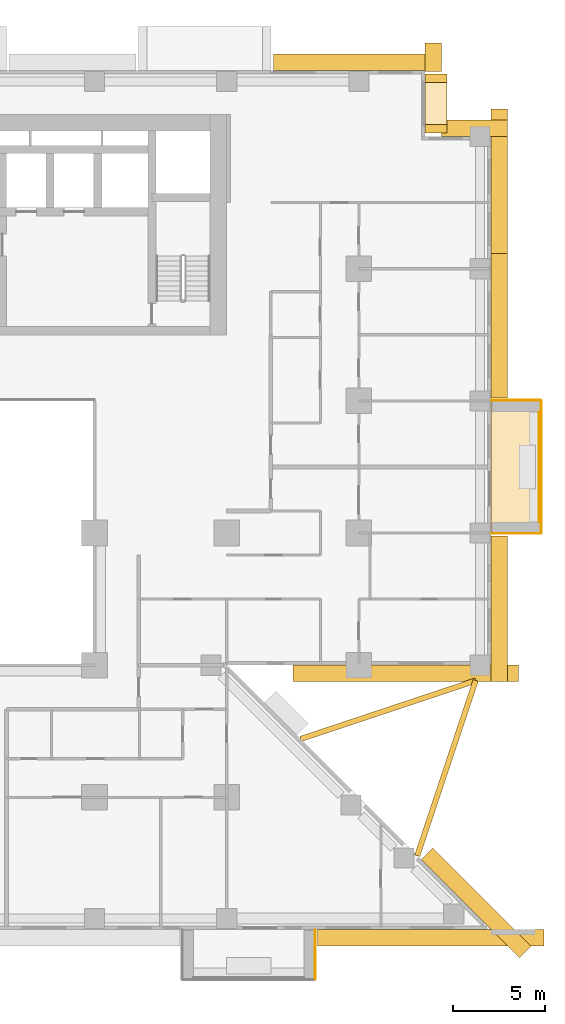
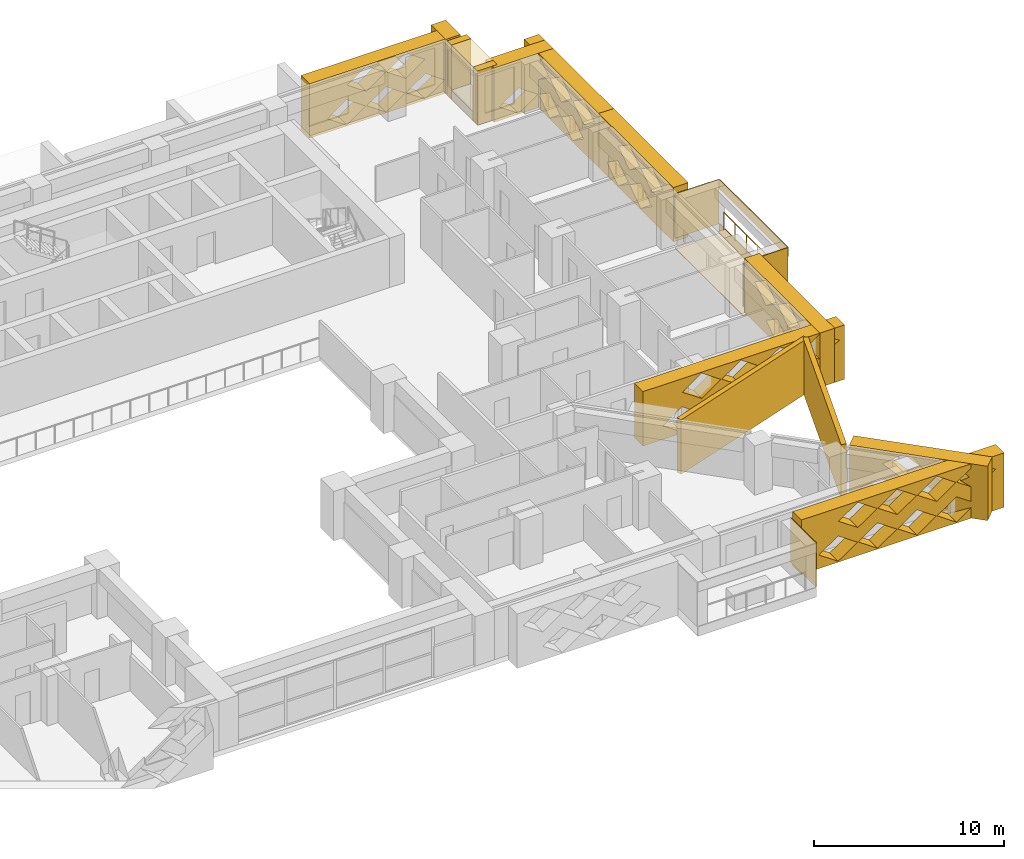
# One storey, part 16 of 16: 21 coverings, 1 railing.
"""IFC4 building model written with IfcOpenShell, lengths in metres."""

from ifc_helpers import new_model, si_unit, direction, frame, origin, origin_2d, place, context, subcontext, project, spatial, polyline, circle, outline, extrude, material, layer, layer_set, type_object, element, save


model = new_model("IFC4")

# Units and contexts
model_context = context("Model", 3, precision=1e-05, world=origin(), true_north=direction((0.0, 1.0)))
body_context = subcontext(model_context, "Body", "Model", "MODEL_VIEW")
ifc_project = project(units=[si_unit("LENGTHUNIT", "METRE"), si_unit("AREAUNIT", "SQUARE_METRE"), si_unit("VOLUMEUNIT", "CUBIC_METRE"), si_unit("PLANEANGLEUNIT", "RADIAN"), si_unit("MASSUNIT", "GRAM", prefix="KILO")], contexts=[model_context])

# Site, building, storey
site_placement = place(None, origin())
site = spatial("IfcSite", under=ifc_project, at=site_placement, CompositionType="ELEMENT")
building_placement = place(site_placement, origin())
building = spatial("IfcBuilding", under=site, at=building_placement, Name="Saffron Iwan Residences", CompositionType="ELEMENT")
storey_placement = place(building_placement, frame((0.0, 0.0, 30.5)))
storey = spatial("IfcBuildingStorey", under=building, at=storey_placement, Name="L06", CompositionType="ELEMENT", Elevation=30.5)

# Railing
ifc_material_1 = material(Name="Stainless steel 316", Category="steel")
railing_type = type_object("IfcRailingType", Name="BALCONY GUARD 1150", PredefinedType="GUARDRAIL", material=ifc_material_1)
railing_placement = place(storey_placement, frame((89.02490234375, 55.800048828125, 0.0)))
element("IfcRailing", 1, at=railing_placement, inside=storey, type_object=railing_type, Name="Balcony guard L06 F2-0", PredefinedType="GUARDRAIL", context=body_context, shape_type="SweptSolid", body=[
    extrude(circle(Radius=0.02392578125, at=origin_2d()), frame((0.0, 0.0, 1.1259765625), z_axis=(0.0, 1.0, 0.0), x_axis=(-1.0, 0.0, 0.0)), (0.0, 0.0, 1.0), 6.0),
    extrude(circle(Radius=0.02099609375, at=origin_2d()), origin(), (0.0, 0.0, 1.0), 1.101806640625),
    extrude(circle(Radius=0.02099609375, at=origin_2d()), frame((0.0, 1.199951171875, 0.0)), (0.0, 0.0, 1.0), 1.101806640625),
    extrude(circle(Radius=0.02099609375, at=origin_2d()), frame((0.0, 2.39990234375, 0.0)), (0.0, 0.0, 1.0), 1.101806640625),
    extrude(circle(Radius=0.02099609375, at=origin_2d()), frame((0.0, 3.60009765625, 0.0)), (0.0, 0.0, 1.0), 1.101806640625),
    extrude(circle(Radius=0.02099609375, at=origin_2d()), frame((0.0, 4.800048828125, 0.0)), (0.0, 0.0, 1.0), 1.101806640625),
    extrude(circle(Radius=0.02099609375, at=origin_2d()), frame((0.0, 6.0, 0.0)), (0.0, 0.0, 1.0), 1.101806640625),
])

# Coverings
ifc_material_2 = material(Name="Precast concrete C40/50 white painted", Category="concrete")
ifc_layer_1 = layer(ifc_material_2, 0.050048828125)
ifc_layer_set_1 = layer_set([ifc_layer_1], Name="Precast concrete C40/50 white painted")
covering_type_1 = type_object("IfcCoveringType", Name="FRAME SKIN PRECAST WHITE 50", PredefinedType="CLADDING", material=ifc_layer_set_1)
for number, where, name in (
    (2, (0.0, 0.0, -0.60009765625), "Frame skin slab edge L06 F2-0"),
    (3, (0.0, 0.0, 2.25), "Frame skin fascia L06 F2-0"),
):
    element("IfcCovering", number, at=place(storey_placement, frame(where)), inside=storey, type_object=covering_type_1, Name=name, PredefinedType="CLADDING", context=body_context, shape_type="SweptSolid", body=[
        extrude(outline(polyline([(89.14990234375, 55.199951171875), (89.14990234375, 62.39990234375), (89.10009765625, 62.39990234375), (89.10009765625, 55.199951171875), (89.14990234375, 55.199951171875)])), origin(), (0.0, 0.0, 1.0), 0.60009765625),
    ])
covering_1_placement = place(storey_placement, frame((0.0, 0.0, -0.64990234375)))
element("IfcCovering", 4, at=covering_1_placement, inside=storey, type_object=covering_type_1, Name="Frame skin soffit L06 F2-0", PredefinedType="CLADDING", context=body_context, shape_type="SweptSolid", body=[
    extrude(outline(polyline([(89.10009765625, 55.199951171875), (89.10009765625, 62.39990234375), (86.39990234375, 62.39990234375), (86.39990234375, 55.199951171875), (89.10009765625, 55.199951171875)])), origin(), (0.0, 0.0, 1.0), 0.0498046875),
])
covering_2_placement = place(storey_placement, origin())
element("IfcCovering", 5, at=covering_2_placement, inside=storey, type_object=covering_type_1, Name="Frame skin fin L06 F2-0a", PredefinedType="CLADDING", context=body_context, shape_type="SweptSolid", body=[
    extrude(outline(polyline([(89.10009765625, 55.14990234375), (89.10009765625, 55.199951171875), (86.39990234375, 55.199951171875), (86.39990234375, 55.14990234375), (89.10009765625, 55.14990234375)])), origin(), (0.0, 0.0, 1.0), 2.85009765625),
])
covering_3_placement = place(storey_placement, origin())
element("IfcCovering", 6, at=covering_3_placement, inside=storey, type_object=covering_type_1, Name="Frame skin fin L06 F2-0b", PredefinedType="CLADDING", context=body_context, shape_type="SweptSolid", body=[
    extrude(outline(polyline([(89.10009765625, 62.39990234375), (89.10009765625, 62.449951171875), (86.39990234375, 62.449951171875), (86.39990234375, 62.39990234375), (89.10009765625, 62.39990234375)])), origin(), (0.0, 0.0, 1.0), 2.85009765625),
])
covering_4_placement = place(storey_placement, origin())
element("IfcCovering", 7, at=covering_4_placement, inside=storey, type_object=covering_type_1, Name="Frame skin fin L06 11-1b", PredefinedType="CLADDING", context=body_context, shape_type="SweptSolid", body=[
    extrude(outline(polyline([(76.800048828125, 30.89990234375), (76.85009765625, 30.89990234375), (76.85009765625, 33.60009765625), (76.800048828125, 33.60009765625), (76.800048828125, 30.89990234375)])), origin(), (0.0, 0.0, 1.0), 2.85009765625),
])
ifc_material_3 = material(Name="Precast concrete C40/50", Category="concrete")
covering_type_2 = type_object("IfcCoveringType", Name="OUTER SKIN LATTICE SCREEN", PredefinedType="CLADDING", material=ifc_material_3)
covering_5_placement = place(storey_placement, frame((87.939453125, 32.060546875, -0.320068359375), z_axis=(0.706971125213, 0.70724241114, 0.0), x_axis=(-0.70724241114, 0.706971125213, 0.0)))
element("IfcCovering", 8, at=covering_5_placement, inside=storey, type_object=covering_type_2, Name="OUTER SKIN lattice screen L06 F0.0", PredefinedType="CLADDING", context=body_context, shape_type="SweptSolid", body=[
    extrude(outline(polyline([(0.0, 0.0), (7.559326171875, 0.0), (7.559326171875, 3.5), (0.0, 3.5), (0.0, 0.0)]), holes=[polyline([(2.197021484375, 0.875), (3.377197265625, 0.06005859375), (4.55712890625, 0.875), (3.377197265625, 1.68994140625), (2.197021484375, 0.875)]), polyline([(4.59716796875, 0.875), (5.777099609375, 0.06005859375), (6.95703125, 0.875), (5.777099609375, 1.68994140625), (4.59716796875, 0.875)]), polyline([(0.9970703125, 2.625), (2.177001953125, 1.81005859375), (3.357177734375, 2.625), (2.177001953125, 3.43994140625), (0.9970703125, 2.625)]), polyline([(3.397216796875, 2.625), (4.5771484375, 1.81005859375), (5.757080078125, 2.625), (4.5771484375, 3.43994140625), (3.397216796875, 2.625)])]), origin(), (0.0, 0.0, 1.0), 0.89990234375),
])
covering_6_placement = place(storey_placement, frame((75.6171875, 48.0, -0.320068359375), z_axis=(0.0, -1.0, 0.0), x_axis=(1.0, 0.0, 0.0)))
element("IfcCovering", 9, at=covering_6_placement, inside=storey, type_object=covering_type_2, Name="OUTER SKIN lattice screen L06 F1.0", PredefinedType="CLADDING", context=body_context, shape_type="SweptSolid", body=[
    extrude(outline(polyline([(0.0, 0.0), (12.282958984375, 0.0), (12.282958984375, 3.5), (0.0, 3.5), (0.0, 0.0)]), holes=[polyline([(1.202880859375, 0.875), (2.3828125, 0.06005859375), (3.56298828125, 0.875), (2.3828125, 1.68994140625), (1.202880859375, 0.875)]), polyline([(3.602783203125, 0.875), (4.782958984375, 0.06005859375), (5.962890625, 0.875), (4.782958984375, 1.68994140625), (3.602783203125, 0.875)]), polyline([(6.0029296875, 0.875), (7.182861328125, 0.06005859375), (8.36279296875, 0.875), (7.182861328125, 1.68994140625), (6.0029296875, 0.875)]), polyline([(8.40283203125, 0.875), (9.5830078125, 0.06005859375), (10.762939453125, 0.875), (9.5830078125, 1.68994140625), (8.40283203125, 0.875)]), polyline([(2.40283203125, 2.625), (3.5830078125, 1.81005859375), (4.762939453125, 2.625), (3.5830078125, 3.43994140625), (2.40283203125, 2.625)]), polyline([(4.802978515625, 2.625), (5.98291015625, 1.81005859375), (7.162841796875, 2.625), (5.98291015625, 3.43994140625), (4.802978515625, 2.625)]), polyline([(7.202880859375, 2.625), (8.3828125, 1.81005859375), (9.56298828125, 2.625), (8.3828125, 3.43994140625), (7.202880859375, 2.625)]), polyline([(9.602783203125, 2.625), (10.782958984375, 1.81005859375), (11.962890625, 2.625), (10.782958984375, 3.43994140625), (9.602783203125, 2.625)])]), origin(), (0.0, 0.0, 1.0), 0.89990234375),
])
covering_7_placement = place(storey_placement, frame((86.39990234375, 47.10009765625, -0.320068359375), z_axis=(1.0, 0.0, 0.0), x_axis=(0.0, 1.0, 0.0)))
element("IfcCovering", 10, at=covering_7_placement, inside=storey, type_object=covering_type_2, Name="OUTER SKIN lattice screen L06 F2.0", PredefinedType="CLADDING", context=body_context, shape_type="SweptSolid", body=[
    extrude(outline(polyline([(0.0, 0.0), (7.949951171875, 0.0), (7.949951171875, 3.5), (0.0, 3.5), (0.0, 0.0)]), holes=[polyline([(0.919921875, 0.875), (2.10009765625, 0.06005859375), (3.280029296875, 0.875), (2.10009765625, 1.68994140625), (0.919921875, 0.875)]), polyline([(3.320068359375, 0.875), (4.5, 0.06005859375), (5.679931640625, 0.875), (4.5, 1.68994140625), (3.320068359375, 0.875)]), polyline([(2.1201171875, 2.625), (3.300048828125, 1.81005859375), (4.47998046875, 2.625), (3.300048828125, 3.43994140625), (2.1201171875, 2.625)]), polyline([(4.52001953125, 2.625), (5.699951171875, 1.81005859375), (6.8798828125, 2.625), (5.699951171875, 3.43994140625), (4.52001953125, 2.625)])]), origin(), (0.0, 0.0, 1.0), 0.900146484375),
])
covering_8_placement = place(storey_placement, frame((86.39990234375, 62.550048828125, -0.320068359375), z_axis=(1.0, 0.0, 0.0), x_axis=(0.0, 1.0, 0.0)))
element("IfcCovering", 11, at=covering_8_placement, inside=storey, type_object=covering_type_2, Name="OUTER SKIN lattice screen L06 F2.1", PredefinedType="CLADDING", context=body_context, shape_type="SweptSolid", body=[
    extrude(outline(polyline([(0.0, 0.0), (7.875, 0.0), (7.875, 3.5), (0.0, 3.5), (0.0, 0.0)]), holes=[polyline([(2.27001953125, 0.875), (3.449951171875, 0.06005859375), (4.6298828125, 0.875), (3.449951171875, 1.68994140625), (2.27001953125, 0.875)]), polyline([(4.669921875, 0.875), (5.85009765625, 0.06005859375), (7.030029296875, 0.875), (5.85009765625, 1.68994140625), (4.669921875, 0.875)]), polyline([(1.070068359375, 2.625), (2.25, 1.81005859375), (3.429931640625, 2.625), (2.25, 3.43994140625), (1.070068359375, 2.625)]), polyline([(3.469970703125, 2.625), (4.64990234375, 1.81005859375), (5.830078125, 2.625), (4.64990234375, 3.43994140625), (3.469970703125, 2.625)])]), origin(), (0.0, 0.0, 1.0), 0.900146484375),
])
covering_9_placement = place(storey_placement, frame((86.39990234375, 70.425048828125, -0.320068359375), z_axis=(1.0, 0.0, 0.0), x_axis=(0.0, 1.0, 0.0)))
element("IfcCovering", 12, at=covering_9_placement, inside=storey, type_object=covering_type_2, Name="OUTER SKIN lattice screen L06 F2.2", PredefinedType="CLADDING", context=body_context, shape_type="SweptSolid", body=[
    extrude(outline(polyline([(0.0, 0.0), (7.875, 0.0), (7.875, 3.5), (0.0, 3.5), (0.0, 0.0)]), holes=[polyline([(1.594970703125, 0.875), (2.77490234375, 0.06005859375), (3.955078125, 0.875), (2.77490234375, 1.68994140625), (1.594970703125, 0.875)]), polyline([(3.9951171875, 0.875), (5.175048828125, 0.06005859375), (6.35498046875, 0.875), (5.175048828125, 1.68994140625), (3.9951171875, 0.875)]), polyline([(0.39501953125, 2.625), (1.574951171875, 1.81005859375), (2.7548828125, 2.625), (1.574951171875, 3.43994140625), (0.39501953125, 2.625)]), polyline([(2.794921875, 2.625), (3.97509765625, 1.81005859375), (5.155029296875, 2.625), (3.97509765625, 3.43994140625), (2.794921875, 2.625)]), polyline([(5.195068359375, 2.625), (6.375, 1.81005859375), (7.554931640625, 2.625), (6.375, 3.43994140625), (5.195068359375, 2.625)])]), origin(), (0.0, 0.0, 1.0), 0.900146484375),
])
covering_10_placement = place(storey_placement, frame((87.300048828125, 76.800048828125, -0.320068359375), z_axis=(0.0, 1.0, 0.0), x_axis=(-1.0, 0.0, 0.0)))
element("IfcCovering", 13, at=covering_10_placement, inside=storey, type_object=covering_type_2, Name="OUTER SKIN lattice screen L06 F3.0", PredefinedType="CLADDING", context=body_context, shape_type="SweptSolid", body=[
    extrude(outline(polyline([(0.0, 0.0), (3.60009765625, 0.0), (3.60009765625, 3.5), (0.0, 3.5), (0.0, 0.0)]), holes=[polyline([(0.919921875, 0.875), (2.10009765625, 0.06005859375), (3.280029296875, 0.875), (2.10009765625, 1.68994140625), (0.919921875, 0.875)])]), origin(), (0.0, 0.0, 1.0), 0.89990234375),
])
covering_11_placement = place(storey_placement, frame((82.800048828125, 80.35009765625, -0.320068359375), z_axis=(1.0, 0.0, 0.0), x_axis=(0.0, 1.0, 0.0)))
element("IfcCovering", 14, at=covering_11_placement, inside=storey, type_object=covering_type_2, Name="OUTER SKIN lattice screen L06 F4.0", PredefinedType="CLADDING", context=body_context, shape_type="SweptSolid", body=[
    extrude(outline(polyline([(0.0, 0.0), (1.550048828125, 0.0), (1.550048828125, 3.5), (0.0, 3.5), (0.0, 0.0)])), origin(), (0.0, 0.0, 1.0), 0.89990234375),
])
covering_12_placement = place(storey_placement, frame((83.699951171875, 80.39990234375, -0.320068359375), z_axis=(0.0, 1.0, 0.0), x_axis=(-1.0, 0.0, 0.0)))
element("IfcCovering", 15, at=covering_12_placement, inside=storey, type_object=covering_type_2, Name="OUTER SKIN lattice screen L06 F5.0", PredefinedType="CLADDING", context=body_context, shape_type="SweptSolid", body=[
    extrude(outline(polyline([(0.0, 0.0), (9.14990234375, 0.0), (9.14990234375, 3.5), (0.0, 3.5), (0.0, 0.0)]), holes=[polyline([(0.919921875, 0.875), (2.10009765625, 0.06005859375), (3.280029296875, 0.875), (2.10009765625, 1.68994140625), (0.919921875, 0.875)]), polyline([(3.320068359375, 0.875), (4.5, 0.06005859375), (5.679931640625, 0.875), (4.5, 1.68994140625), (3.320068359375, 0.875)]), polyline([(5.719970703125, 0.875), (6.89990234375, 0.06005859375), (8.080078125, 0.875), (6.89990234375, 1.68994140625), (5.719970703125, 0.875)]), polyline([(2.1201171875, 2.625), (3.300048828125, 1.81005859375), (4.47998046875, 2.625), (3.300048828125, 3.43994140625), (2.1201171875, 2.625)]), polyline([(4.52001953125, 2.625), (5.699951171875, 1.81005859375), (6.8798828125, 2.625), (5.699951171875, 3.43994140625), (4.52001953125, 2.625)])]), origin(), (0.0, 0.0, 1.0), 0.900146484375),
])
covering_13_placement = place(storey_placement, frame((76.949951171875, 33.60009765625, -0.320068359375), z_axis=(0.0, -1.0, 0.0), x_axis=(1.0, 0.0, 0.0)))
element("IfcCovering", 16, at=covering_13_placement, inside=storey, type_object=covering_type_2, Name="OUTER SKIN lattice screen L06 F11.3", PredefinedType="CLADDING", context=body_context, shape_type="SweptSolid", body=[
    extrude(outline(polyline([(0.0, 0.0), (12.34716796875, 0.0), (12.34716796875, 3.5), (0.0, 3.5), (0.0, 0.0)]), holes=[polyline([(1.070068359375, 0.875), (2.25, 0.06005859375), (3.429931640625, 0.875), (2.25, 1.68994140625), (1.070068359375, 0.875)]), polyline([(3.469970703125, 0.875), (4.64990234375, 0.06005859375), (5.830078125, 0.875), (4.64990234375, 1.68994140625), (3.469970703125, 0.875)]), polyline([(5.8701171875, 0.875), (7.050048828125, 0.06005859375), (8.22998046875, 0.875), (7.050048828125, 1.68994140625), (5.8701171875, 0.875)]), polyline([(8.27001953125, 0.875), (9.449951171875, 0.06005859375), (10.6298828125, 0.875), (9.449951171875, 1.68994140625), (8.27001953125, 0.875)]), polyline([(2.27001953125, 2.625), (3.449951171875, 1.81005859375), (4.6298828125, 2.625), (3.449951171875, 3.43994140625), (2.27001953125, 2.625)]), polyline([(4.669921875, 2.625), (5.85009765625, 1.81005859375), (7.030029296875, 2.625), (5.85009765625, 3.43994140625), (4.669921875, 2.625)]), polyline([(7.070068359375, 2.625), (8.25, 1.81005859375), (9.429931640625, 2.625), (8.25, 3.43994140625), (7.070068359375, 2.625)]), polyline([(9.469970703125, 2.625), (10.64990234375, 1.81005859375), (11.830078125, 2.625), (10.64990234375, 3.43994140625), (9.469970703125, 2.625)])]), origin(), (0.0, 0.0, 1.0), 0.900146484375),
])
ifc_layer_2 = layer(ifc_material_2, 0.300048828125)
ifc_layer_set_2 = layer_set([ifc_layer_2], Name="Precast concrete C40/50 white painted")
covering_type_3 = type_object("IfcCoveringType", Name="PROW NOSE BLADE PRECAST WHITE", PredefinedType="CLADDING", material=ifc_layer_set_2)
covering_14_placement = place(storey_placement, frame((0.0, 0.0, -0.320068359375)))
element("IfcCovering", 17, at=covering_14_placement, inside=storey, type_object=covering_type_3, Name="Prow nose blade L06 a", PredefinedType="CLADDING", context=body_context, shape_type="SweptSolid", body=[
    extrude(outline(polyline([(82.5244140625, 37.570556640625), (85.706298828125, 47.116455078125), (85.421630859375, 47.21142578125), (82.23974609375, 37.66552734375), (82.5244140625, 37.570556640625)])), origin(), (0.0, 0.0, 1.0), 3.5),
])
covering_15_placement = place(storey_placement, frame((0.0, 0.0, -0.320068359375)))
element("IfcCovering", 18, at=covering_15_placement, inside=storey, type_object=covering_type_3, Name="Prow nose blade L06 b", PredefinedType="CLADDING", context=body_context, shape_type="SweptSolid", body=[
    extrude(outline(polyline([(76.0654296875, 43.839599609375), (85.611328125, 47.021728515625), (85.5166015625, 47.306396484375), (75.970703125, 44.124267578125), (76.0654296875, 43.839599609375)])), origin(), (0.0, 0.0, 1.0), 3.5),
])
covering_type_4 = type_object("IfcCoveringType", Name="WHITE SUN FRAME PRECAST", PredefinedType="CLADDING", material=ifc_material_2)
for number, where, z_axis, x_axis, name in (
    (19, (82.800048828125, 77.0, -0.320068359375), (1.0, 0.0, 0.0), (0.0, 1.0, 0.0), "Sun frame L06 F4 0.2a"),
    (20, (82.800048828125, 79.75, -0.320068359375), (1.0, 0.0, 0.0), (0.0, 1.0, 0.0), "Sun frame L06 F4 0.2b"),
):
    element("IfcCovering", number, at=place(storey_placement, frame(where, z_axis=z_axis, x_axis=x_axis)), inside=storey, type_object=covering_type_4, Name=name, PredefinedType="CLADDING", context=body_context, shape_type="SweptSolid", body=[
        extrude(outline(polyline([(0.0, 0.0), (0.449951171875, 0.0), (0.449951171875, 3.5), (0.0, 3.5), (0.0, 0.0)])), origin(), (0.0, 0.0, 1.0), 1.199951171875),
    ])
for number, where, z_axis, x_axis, name in (
    (21, (82.800048828125, 77.449951171875, 2.580078125), (1.0, 0.0, 0.0), (0.0, 1.0, 0.0), "Sun frame L06 F4 0.2h"),
    (22, (82.800048828125, 77.449951171875, -0.320068359375), (1.0, 0.0, 0.0), (0.0, 1.0, 0.0), "Sun frame L06 F4 0.2s"),
):
    element("IfcCovering", number, at=place(storey_placement, frame(where, z_axis=z_axis, x_axis=x_axis)), inside=storey, type_object=covering_type_4, Name=name, PredefinedType="CLADDING", context=body_context, shape_type="SweptSolid", body=[
        extrude(outline(polyline([(0.0, 0.0), (2.300048828125, 0.0), (2.300048828125, 0.60009765625), (0.0, 0.60009765625), (0.0, 0.0)])), origin(), (0.0, 0.0, 1.0), 1.199951171875),
    ])

save(model, "model.ifc")
